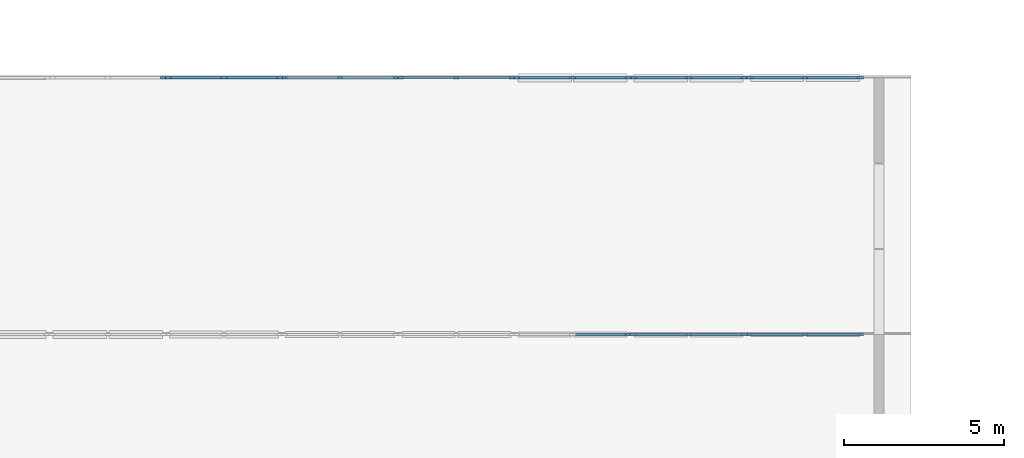
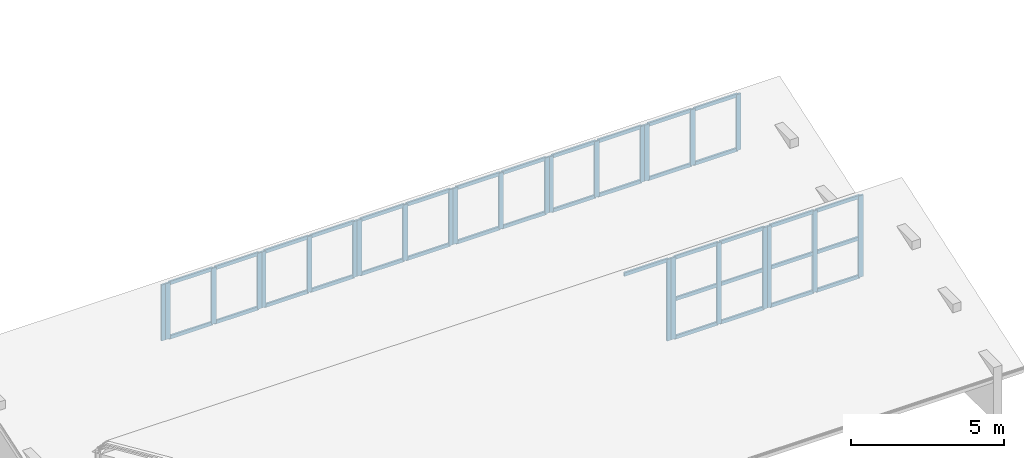
# One storey, part 14 of 45: 63 members, 10 elements without a shape of their own.
"""IFC4 building model written with IfcOpenShell, lengths in metres."""

from ifc_helpers import new_model, si_unit, direction, frame, origin, origin_2d, place, context, subcontext, project, spatial, rectangle, extrude, material, layer, layer_set, material_profile, profile_set, type_object, element, aggregate, save


model = new_model("IFC4")

# Units and contexts
model_context = context("Model", 3, precision=1e-05, world=origin(), true_north=direction((0.0, 1.0)))
body_context = subcontext(model_context, "Body", "Model", "MODEL_VIEW")
ifc_project = project(units=[si_unit("LENGTHUNIT", "METRE"), si_unit("AREAUNIT", "SQUARE_METRE"), si_unit("VOLUMEUNIT", "CUBIC_METRE"), si_unit("PLANEANGLEUNIT", "RADIAN"), si_unit("MASSUNIT", "GRAM", prefix="KILO")], contexts=[model_context])

# Site, building, storey
site_placement = place(None, origin())
site = spatial("IfcSite", under=ifc_project, at=site_placement, CompositionType="ELEMENT")
building_placement = place(site_placement, origin())
building = spatial("IfcBuilding", under=site, at=building_placement, Name="Cinchona Park Media Centre", CompositionType="ELEMENT")
storey_placement = place(building_placement, frame((0.0, 0.0, 20.39990234375)))
storey = spatial("IfcBuildingStorey", under=building, at=storey_placement, Name="L04", CompositionType="ELEMENT", Elevation=20.39990234375)

# Curtain wall, members
ifc_material_1 = material(Name="Aluminium Curtain Wall Framing", Category="aluminium")
ifc_layer = layer(ifc_material_1, 0.31494140625)
ifc_layer_set = layer_set([ifc_layer], Name="Aluminium Curtain Wall Framing")
curtain_wall_type = type_object("IfcCurtainWallType", Name="CW-CW10", PredefinedType="USERDEFINED", material=ifc_layer_set)
curtain_wall_1_placement = place(storey_placement, origin())
curtain_wall_1 = element("IfcCurtainWall", 1, at=curtain_wall_1_placement, inside=storey, type_object=curtain_wall_type, Name="North-Light Sawtooth Clerestory V2 Bay 1.1 CW10 L04", ObjectType="UNITISED CURTAIN WALL", PredefinedType="USERDEFINED")
ifc_material_2 = material(Name="Anodised Aluminium Alloy 6063-T6", Category="aluminium")
ifc_material_profile_1 = material_profile(ifc_material_2, rectangle(XDim=0.070068359375, YDim=0.179931640625, at=origin_2d()), Name="MUL-70X180")
ifc_profile_set_1 = profile_set([ifc_material_profile_1], Name="Anodised Aluminium Alloy 6063-T6")
member_type_1 = type_object("IfcMemberType", Name="MULLION-MUL02", PredefinedType="MULLION", material=ifc_profile_set_1)
member_1_placement = place(storey_placement, frame((44.784912109375, 110.0, -0.219970703125), z_axis=(0.0, 0.0, 1.0), x_axis=(0.0, -1.0, 0.0)))
member_1 = element("IfcMember", 2, at=member_1_placement, type_object=member_type_1, Name="CW10 mullion 1", PredefinedType="MULLION", context=body_context, shape_type="SweptSolid", body=[
    extrude(rectangle(XDim=0.070068359375, YDim=0.179931640625, at=origin_2d()), origin(), (0.0, 0.0, 1.0), 3.257080078125),
])
member_2_placement = place(storey_placement, frame((43.050048828125, 110.0, -0.219970703125), z_axis=(0.0, 0.0, 1.0), x_axis=(0.0, -1.0, 0.0)))
member_2 = element("IfcMember", 3, at=member_2_placement, type_object=member_type_1, Name="CW10 mullion 2", PredefinedType="MULLION", context=body_context, shape_type="SweptSolid", body=[
    extrude(rectangle(XDim=0.070068359375, YDim=0.179931640625, at=origin_2d()), origin(), (0.0, 0.0, 1.0), 3.257080078125),
])
member_3_placement = place(storey_placement, frame((41.31494140625, 110.0, -0.219970703125), z_axis=(0.0, 0.0, 1.0), x_axis=(0.0, -1.0, 0.0)))
member_3 = element("IfcMember", 4, at=member_3_placement, type_object=member_type_1, Name="CW10 mullion 3", PredefinedType="MULLION", context=body_context, shape_type="SweptSolid", body=[
    extrude(rectangle(XDim=0.070068359375, YDim=0.179931640625, at=origin_2d()), origin(), (0.0, 0.0, 1.0), 3.257080078125),
])

curtain_wall_2_placement = place(storey_placement, origin())
curtain_wall_2 = element("IfcCurtainWall", 5, at=curtain_wall_2_placement, inside=storey, type_object=curtain_wall_type, Name="North-Light Sawtooth Clerestory V2 Bay 1.2 CW10 L04", ObjectType="UNITISED CURTAIN WALL", PredefinedType="USERDEFINED")
member_4_placement = place(storey_placement, frame((41.1650390625, 110.0, -0.219970703125), z_axis=(0.0, 0.0, 1.0), x_axis=(0.0, -1.0, 0.0)))
member_4 = element("IfcMember", 6, at=member_4_placement, type_object=member_type_1, Name="CW10 mullion 1", PredefinedType="MULLION", context=body_context, shape_type="SweptSolid", body=[
    extrude(rectangle(XDim=0.070068359375, YDim=0.179931640625, at=origin_2d()), origin(), (0.0, 0.0, 1.0), 3.257080078125),
])
member_5_placement = place(storey_placement, frame((39.429931640625, 110.0, -0.219970703125), z_axis=(0.0, 0.0, 1.0), x_axis=(0.0, -1.0, 0.0)))
member_5 = element("IfcMember", 7, at=member_5_placement, type_object=member_type_1, Name="CW10 mullion 2", PredefinedType="MULLION", context=body_context, shape_type="SweptSolid", body=[
    extrude(rectangle(XDim=0.070068359375, YDim=0.179931640625, at=origin_2d()), origin(), (0.0, 0.0, 1.0), 3.257080078125),
])
member_6_placement = place(storey_placement, frame((37.695068359375, 110.0, -0.219970703125), z_axis=(0.0, 0.0, 1.0), x_axis=(0.0, -1.0, 0.0)))
member_6 = element("IfcMember", 8, at=member_6_placement, type_object=member_type_1, Name="CW10 mullion 3", PredefinedType="MULLION", context=body_context, shape_type="SweptSolid", body=[
    extrude(rectangle(XDim=0.070068359375, YDim=0.179931640625, at=origin_2d()), origin(), (0.0, 0.0, 1.0), 3.257080078125),
])

# Curtain wall, member
curtain_wall_3_placement = place(storey_placement, origin())
curtain_wall_3 = element("IfcCurtainWall", 9, at=curtain_wall_3_placement, inside=storey, type_object=curtain_wall_type, Name="North-Light Sawtooth Clerestory V2 Bay 1.3 CW10 L04", ObjectType="UNITISED CURTAIN WALL", PredefinedType="USERDEFINED")
member_7_placement = place(storey_placement, frame((37.544921875, 110.0, -0.219970703125), z_axis=(0.0, 0.0, 1.0), x_axis=(0.0, -1.0, 0.0)))
member_7 = element("IfcMember", 10, at=member_7_placement, type_object=member_type_1, Name="CW10 mullion 1", PredefinedType="MULLION", context=body_context, shape_type="SweptSolid", body=[
    extrude(rectangle(XDim=0.070068359375, YDim=0.179931640625, at=origin_2d()), origin(), (0.0, 0.0, 1.0), 3.257080078125),
])

# Curtain wall, members
curtain_wall_4_placement = place(storey_placement, origin())
curtain_wall_4 = element("IfcCurtainWall", 11, at=curtain_wall_4_placement, inside=storey, type_object=curtain_wall_type, Name="North-Light Sawtooth Clerestory V2 Bay 2.1 CW10 L04", ObjectType="UNITISED CURTAIN WALL", PredefinedType="USERDEFINED")
member_8_placement = place(storey_placement, frame((44.784912109375, 118.0, 0.0), z_axis=(0.0, 0.0, 1.0), x_axis=(0.0, -1.0, 0.0)))
member_8 = element("IfcMember", 12, at=member_8_placement, type_object=member_type_1, Name="CW10 mullion 1", PredefinedType="MULLION", context=body_context, shape_type="SweptSolid", body=[
    extrude(rectangle(XDim=0.070068359375, YDim=0.179931640625, at=origin_2d()), origin(), (0.0, 0.0, 1.0), 2.237060546875),
])
member_9_placement = place(storey_placement, frame((43.050048828125, 118.0, 0.0), z_axis=(0.0, 0.0, 1.0), x_axis=(0.0, -1.0, 0.0)))
member_9 = element("IfcMember", 13, at=member_9_placement, type_object=member_type_1, Name="CW10 mullion 2", PredefinedType="MULLION", context=body_context, shape_type="SweptSolid", body=[
    extrude(rectangle(XDim=0.070068359375, YDim=0.179931640625, at=origin_2d()), origin(), (0.0, 0.0, 1.0), 2.237060546875),
])
member_10_placement = place(storey_placement, frame((41.31494140625, 118.0, 0.0), z_axis=(0.0, 0.0, 1.0), x_axis=(0.0, -1.0, 0.0)))
member_10 = element("IfcMember", 14, at=member_10_placement, type_object=member_type_1, Name="CW10 mullion 3", PredefinedType="MULLION", context=body_context, shape_type="SweptSolid", body=[
    extrude(rectangle(XDim=0.070068359375, YDim=0.179931640625, at=origin_2d()), origin(), (0.0, 0.0, 1.0), 2.237060546875),
])

curtain_wall_5_placement = place(storey_placement, origin())
curtain_wall_5 = element("IfcCurtainWall", 15, at=curtain_wall_5_placement, inside=storey, type_object=curtain_wall_type, Name="North-Light Sawtooth Clerestory V2 Bay 2.2 CW10 L04", ObjectType="UNITISED CURTAIN WALL", PredefinedType="USERDEFINED")
member_11_placement = place(storey_placement, frame((41.1650390625, 118.0, 0.0), z_axis=(0.0, 0.0, 1.0), x_axis=(0.0, -1.0, 0.0)))
member_11 = element("IfcMember", 16, at=member_11_placement, type_object=member_type_1, Name="CW10 mullion 1", PredefinedType="MULLION", context=body_context, shape_type="SweptSolid", body=[
    extrude(rectangle(XDim=0.070068359375, YDim=0.179931640625, at=origin_2d()), origin(), (0.0, 0.0, 1.0), 2.237060546875),
])
member_12_placement = place(storey_placement, frame((39.429931640625, 118.0, 0.0), z_axis=(0.0, 0.0, 1.0), x_axis=(0.0, -1.0, 0.0)))
member_12 = element("IfcMember", 17, at=member_12_placement, type_object=member_type_1, Name="CW10 mullion 2", PredefinedType="MULLION", context=body_context, shape_type="SweptSolid", body=[
    extrude(rectangle(XDim=0.070068359375, YDim=0.179931640625, at=origin_2d()), origin(), (0.0, 0.0, 1.0), 2.237060546875),
])
member_13_placement = place(storey_placement, frame((37.695068359375, 118.0, 0.0), z_axis=(0.0, 0.0, 1.0), x_axis=(0.0, -1.0, 0.0)))
member_13 = element("IfcMember", 18, at=member_13_placement, type_object=member_type_1, Name="CW10 mullion 3", PredefinedType="MULLION", context=body_context, shape_type="SweptSolid", body=[
    extrude(rectangle(XDim=0.070068359375, YDim=0.179931640625, at=origin_2d()), origin(), (0.0, 0.0, 1.0), 2.237060546875),
])

curtain_wall_6_placement = place(storey_placement, origin())
curtain_wall_6 = element("IfcCurtainWall", 19, at=curtain_wall_6_placement, inside=storey, type_object=curtain_wall_type, Name="North-Light Sawtooth Clerestory V2 Bay 2.3 CW10 L04", ObjectType="UNITISED CURTAIN WALL", PredefinedType="USERDEFINED")
member_14_placement = place(storey_placement, frame((37.544921875, 118.0, 0.0), z_axis=(0.0, 0.0, 1.0), x_axis=(0.0, -1.0, 0.0)))
member_14 = element("IfcMember", 20, at=member_14_placement, type_object=member_type_1, Name="CW10 mullion 1", PredefinedType="MULLION", context=body_context, shape_type="SweptSolid", body=[
    extrude(rectangle(XDim=0.070068359375, YDim=0.179931640625, at=origin_2d()), origin(), (0.0, 0.0, 1.0), 2.237060546875),
])
member_15_placement = place(storey_placement, frame((35.81005859375, 118.0, 0.0), z_axis=(0.0, 0.0, 1.0), x_axis=(0.0, -1.0, 0.0)))
member_15 = element("IfcMember", 21, at=member_15_placement, type_object=member_type_1, Name="CW10 mullion 2", PredefinedType="MULLION", context=body_context, shape_type="SweptSolid", body=[
    extrude(rectangle(XDim=0.070068359375, YDim=0.179931640625, at=origin_2d()), origin(), (0.0, 0.0, 1.0), 2.237060546875),
])
member_16_placement = place(storey_placement, frame((34.074951171875, 118.0, 0.0), z_axis=(0.0, 0.0, 1.0), x_axis=(0.0, -1.0, 0.0)))
member_16 = element("IfcMember", 22, at=member_16_placement, type_object=member_type_1, Name="CW10 mullion 3", PredefinedType="MULLION", context=body_context, shape_type="SweptSolid", body=[
    extrude(rectangle(XDim=0.070068359375, YDim=0.179931640625, at=origin_2d()), origin(), (0.0, 0.0, 1.0), 2.237060546875),
])

curtain_wall_7_placement = place(storey_placement, origin())
curtain_wall_7 = element("IfcCurtainWall", 23, at=curtain_wall_7_placement, inside=storey, type_object=curtain_wall_type, Name="North-Light Sawtooth Clerestory V2 Bay 2.4 CW10 L04", ObjectType="UNITISED CURTAIN WALL", PredefinedType="USERDEFINED")
member_17_placement = place(storey_placement, frame((33.925048828125, 118.0, 0.0), z_axis=(0.0, 0.0, 1.0), x_axis=(0.0, -1.0, 0.0)))
member_17 = element("IfcMember", 24, at=member_17_placement, type_object=member_type_1, Name="CW10 mullion 1", PredefinedType="MULLION", context=body_context, shape_type="SweptSolid", body=[
    extrude(rectangle(XDim=0.070068359375, YDim=0.179931640625, at=origin_2d()), origin(), (0.0, 0.0, 1.0), 2.237060546875),
])
member_18_placement = place(storey_placement, frame((32.18994140625, 118.0, 0.0), z_axis=(0.0, 0.0, 1.0), x_axis=(0.0, -1.0, 0.0)))
member_18 = element("IfcMember", 25, at=member_18_placement, type_object=member_type_1, Name="CW10 mullion 2", PredefinedType="MULLION", context=body_context, shape_type="SweptSolid", body=[
    extrude(rectangle(XDim=0.070068359375, YDim=0.179931640625, at=origin_2d()), origin(), (0.0, 0.0, 1.0), 2.237060546875),
])
member_19_placement = place(storey_placement, frame((30.455078125, 118.0, 0.0), z_axis=(0.0, 0.0, 1.0), x_axis=(0.0, -1.0, 0.0)))
member_19 = element("IfcMember", 26, at=member_19_placement, type_object=member_type_1, Name="CW10 mullion 3", PredefinedType="MULLION", context=body_context, shape_type="SweptSolid", body=[
    extrude(rectangle(XDim=0.070068359375, YDim=0.179931640625, at=origin_2d()), origin(), (0.0, 0.0, 1.0), 2.237060546875),
])

curtain_wall_8_placement = place(storey_placement, origin())
curtain_wall_8 = element("IfcCurtainWall", 27, at=curtain_wall_8_placement, inside=storey, type_object=curtain_wall_type, Name="North-Light Sawtooth Clerestory V2 Bay 2.5 CW10 L04", ObjectType="UNITISED CURTAIN WALL", PredefinedType="USERDEFINED")
member_20_placement = place(storey_placement, frame((30.304931640625, 118.0, 0.0), z_axis=(0.0, 0.0, 1.0), x_axis=(0.0, -1.0, 0.0)))
member_20 = element("IfcMember", 28, at=member_20_placement, type_object=member_type_1, Name="CW10 mullion 1", PredefinedType="MULLION", context=body_context, shape_type="SweptSolid", body=[
    extrude(rectangle(XDim=0.070068359375, YDim=0.179931640625, at=origin_2d()), origin(), (0.0, 0.0, 1.0), 2.237060546875),
])
member_21_placement = place(storey_placement, frame((28.570068359375, 118.0, 0.0), z_axis=(0.0, 0.0, 1.0), x_axis=(0.0, -1.0, 0.0)))
member_21 = element("IfcMember", 29, at=member_21_placement, type_object=member_type_1, Name="CW10 mullion 2", PredefinedType="MULLION", context=body_context, shape_type="SweptSolid", body=[
    extrude(rectangle(XDim=0.070068359375, YDim=0.179931640625, at=origin_2d()), origin(), (0.0, 0.0, 1.0), 2.237060546875),
])
member_22_placement = place(storey_placement, frame((26.8349609375, 118.0, 0.0), z_axis=(0.0, 0.0, 1.0), x_axis=(0.0, -1.0, 0.0)))
member_22 = element("IfcMember", 30, at=member_22_placement, type_object=member_type_1, Name="CW10 mullion 3", PredefinedType="MULLION", context=body_context, shape_type="SweptSolid", body=[
    extrude(rectangle(XDim=0.070068359375, YDim=0.179931640625, at=origin_2d()), origin(), (0.0, 0.0, 1.0), 2.237060546875),
])

curtain_wall_9_placement = place(storey_placement, origin())
curtain_wall_9 = element("IfcCurtainWall", 31, at=curtain_wall_9_placement, inside=storey, type_object=curtain_wall_type, Name="North-Light Sawtooth Clerestory V2 Bay 2.6 CW10 L04", ObjectType="UNITISED CURTAIN WALL", PredefinedType="USERDEFINED")
member_23_placement = place(storey_placement, frame((26.68505859375, 118.0, 0.0), z_axis=(0.0, 0.0, 1.0), x_axis=(0.0, -1.0, 0.0)))
member_23 = element("IfcMember", 32, at=member_23_placement, type_object=member_type_1, Name="CW10 mullion 1", PredefinedType="MULLION", context=body_context, shape_type="SweptSolid", body=[
    extrude(rectangle(XDim=0.070068359375, YDim=0.179931640625, at=origin_2d()), origin(), (0.0, 0.0, 1.0), 2.237060546875),
])
member_24_placement = place(storey_placement, frame((24.949951171875, 118.0, 0.0), z_axis=(0.0, 0.0, 1.0), x_axis=(0.0, -1.0, 0.0)))
member_24 = element("IfcMember", 33, at=member_24_placement, type_object=member_type_1, Name="CW10 mullion 2", PredefinedType="MULLION", context=body_context, shape_type="SweptSolid", body=[
    extrude(rectangle(XDim=0.070068359375, YDim=0.179931640625, at=origin_2d()), origin(), (0.0, 0.0, 1.0), 2.237060546875),
])
member_25_placement = place(storey_placement, frame((23.215087890625, 118.0, 0.0), z_axis=(0.0, 0.0, 1.0), x_axis=(0.0, -1.0, 0.0)))
member_25 = element("IfcMember", 34, at=member_25_placement, type_object=member_type_1, Name="CW10 mullion 3", PredefinedType="MULLION", context=body_context, shape_type="SweptSolid", body=[
    extrude(rectangle(XDim=0.070068359375, YDim=0.179931640625, at=origin_2d()), origin(), (0.0, 0.0, 1.0), 2.237060546875),
])

# Curtain wall, member
curtain_wall_10_placement = place(storey_placement, origin())
curtain_wall_10 = element("IfcCurtainWall", 35, at=curtain_wall_10_placement, inside=storey, type_object=curtain_wall_type, Name="North-Light Sawtooth Clerestory V2 Bay 2.7 CW10 L04", ObjectType="UNITISED CURTAIN WALL", PredefinedType="USERDEFINED")
member_26_placement = place(storey_placement, frame((23.06494140625, 118.0, 0.0), z_axis=(0.0, 0.0, 1.0), x_axis=(0.0, -1.0, 0.0)))
member_26 = element("IfcMember", 36, at=member_26_placement, type_object=member_type_1, Name="CW10 mullion 1", PredefinedType="MULLION", context=body_context, shape_type="SweptSolid", body=[
    extrude(rectangle(XDim=0.070068359375, YDim=0.179931640625, at=origin_2d()), origin(), (0.0, 0.0, 1.0), 2.237060546875),
])
aggregate(curtain_wall_10, [member_26])

# Member
ifc_material_3 = material(Name="Anodised Aluminium Alloy 6063-T6", Category="aluminium")
ifc_material_profile_2 = material_profile(ifc_material_3, rectangle(XDim=0.070068359375, YDim=0.139892578125, at=origin_2d()), Name="TRN-70X140")
ifc_profile_set_2 = profile_set([ifc_material_profile_2], Name="Anodised Aluminium Alloy 6063-T6")
member_type_2 = type_object("IfcMemberType", Name="TRANSOM-TRN02", PredefinedType="USERDEFINED", material=ifc_profile_set_2)
member_27_placement = place(storey_placement, frame((44.75, 110.0, -0.184814453125), z_axis=(-1.0, 0.0, 0.0), x_axis=(0.0, -1.0, 0.0)))
member_27 = element("IfcMember", 37, at=member_27_placement, type_object=member_type_2, Name="CW10 transom 1.1", ObjectType="TRANSOM", PredefinedType="USERDEFINED", context=body_context, shape_type="SweptSolid", body=[
    extrude(rectangle(XDim=0.070068359375, YDim=0.139892578125, at=origin_2d()), origin(), (0.0, 0.0, 1.0), 1.6650390625),
])

member_28_placement = place(storey_placement, frame((44.75, 110.0, 1.343017578125), z_axis=(-1.0, 0.0, 0.0), x_axis=(0.0, -1.0, 0.0)))
member_28 = element("IfcMember", 38, at=member_28_placement, type_object=member_type_2, Name="CW10 transom 1.2", ObjectType="TRANSOM", PredefinedType="USERDEFINED", context=body_context, shape_type="SweptSolid", body=[
    extrude(rectangle(XDim=0.070068359375, YDim=0.139892578125, at=origin_2d()), origin(), (0.0, 0.0, 1.0), 1.6650390625),
])

member_29_placement = place(storey_placement, frame((44.75, 110.0, 3.002197265625), z_axis=(-1.0, 0.0, 0.0), x_axis=(0.0, -1.0, 0.0)))
member_29 = element("IfcMember", 39, at=member_29_placement, type_object=member_type_2, Name="CW10 transom 1.3", ObjectType="TRANSOM", PredefinedType="USERDEFINED", context=body_context, shape_type="SweptSolid", body=[
    extrude(rectangle(XDim=0.070068359375, YDim=0.139892578125, at=origin_2d()), origin(), (0.0, 0.0, 1.0), 1.6650390625),
])

member_30_placement = place(storey_placement, frame((43.014892578125, 110.0, -0.184814453125), z_axis=(-1.0, 0.0, 0.0), x_axis=(0.0, -1.0, 0.0)))
member_30 = element("IfcMember", 40, at=member_30_placement, type_object=member_type_2, Name="CW10 transom 2.1", ObjectType="TRANSOM", PredefinedType="USERDEFINED", context=body_context, shape_type="SweptSolid", body=[
    extrude(rectangle(XDim=0.070068359375, YDim=0.139892578125, at=origin_2d()), origin(), (0.0, 0.0, 1.0), 1.664794921875),
])

member_31_placement = place(storey_placement, frame((43.014892578125, 110.0, 1.343017578125), z_axis=(-1.0, 0.0, 0.0), x_axis=(0.0, -1.0, 0.0)))
member_31 = element("IfcMember", 41, at=member_31_placement, type_object=member_type_2, Name="CW10 transom 2.2", ObjectType="TRANSOM", PredefinedType="USERDEFINED", context=body_context, shape_type="SweptSolid", body=[
    extrude(rectangle(XDim=0.070068359375, YDim=0.139892578125, at=origin_2d()), origin(), (0.0, 0.0, 1.0), 1.664794921875),
])

member_32_placement = place(storey_placement, frame((43.014892578125, 110.0, 3.002197265625), z_axis=(-1.0, 0.0, 0.0), x_axis=(0.0, -1.0, 0.0)))
member_32 = element("IfcMember", 42, at=member_32_placement, type_object=member_type_2, Name="CW10 transom 2.3", ObjectType="TRANSOM", PredefinedType="USERDEFINED", context=body_context, shape_type="SweptSolid", body=[
    extrude(rectangle(XDim=0.070068359375, YDim=0.139892578125, at=origin_2d()), origin(), (0.0, 0.0, 1.0), 1.664794921875),
])

aggregate(curtain_wall_1, [member_1, member_2, member_3, member_27, member_28, member_29, member_30, member_31, member_32])

member_33_placement = place(storey_placement, frame((41.1298828125, 110.0, -0.184814453125), z_axis=(-1.0, 0.0, 0.0), x_axis=(0.0, -1.0, 0.0)))
member_33 = element("IfcMember", 43, at=member_33_placement, type_object=member_type_2, Name="CW10 transom 1.1", ObjectType="TRANSOM", PredefinedType="USERDEFINED", context=body_context, shape_type="SweptSolid", body=[
    extrude(rectangle(XDim=0.070068359375, YDim=0.139892578125, at=origin_2d()), origin(), (0.0, 0.0, 1.0), 1.664794921875),
])

member_34_placement = place(storey_placement, frame((41.1298828125, 110.0, 1.343017578125), z_axis=(-1.0, 0.0, 0.0), x_axis=(0.0, -1.0, 0.0)))
member_34 = element("IfcMember", 44, at=member_34_placement, type_object=member_type_2, Name="CW10 transom 1.2", ObjectType="TRANSOM", PredefinedType="USERDEFINED", context=body_context, shape_type="SweptSolid", body=[
    extrude(rectangle(XDim=0.070068359375, YDim=0.139892578125, at=origin_2d()), origin(), (0.0, 0.0, 1.0), 1.664794921875),
])

member_35_placement = place(storey_placement, frame((41.1298828125, 110.0, 3.002197265625), z_axis=(-1.0, 0.0, 0.0), x_axis=(0.0, -1.0, 0.0)))
member_35 = element("IfcMember", 45, at=member_35_placement, type_object=member_type_2, Name="CW10 transom 1.3", ObjectType="TRANSOM", PredefinedType="USERDEFINED", context=body_context, shape_type="SweptSolid", body=[
    extrude(rectangle(XDim=0.070068359375, YDim=0.139892578125, at=origin_2d()), origin(), (0.0, 0.0, 1.0), 1.664794921875),
])

member_36_placement = place(storey_placement, frame((39.39501953125, 110.0, -0.184814453125), z_axis=(-1.0, 0.0, 0.0), x_axis=(0.0, -1.0, 0.0)))
member_36 = element("IfcMember", 46, at=member_36_placement, type_object=member_type_2, Name="CW10 transom 2.1", ObjectType="TRANSOM", PredefinedType="USERDEFINED", context=body_context, shape_type="SweptSolid", body=[
    extrude(rectangle(XDim=0.070068359375, YDim=0.139892578125, at=origin_2d()), origin(), (0.0, 0.0, 1.0), 1.6650390625),
])

member_37_placement = place(storey_placement, frame((39.39501953125, 110.0, 1.343017578125), z_axis=(-1.0, 0.0, 0.0), x_axis=(0.0, -1.0, 0.0)))
member_37 = element("IfcMember", 47, at=member_37_placement, type_object=member_type_2, Name="CW10 transom 2.2", ObjectType="TRANSOM", PredefinedType="USERDEFINED", context=body_context, shape_type="SweptSolid", body=[
    extrude(rectangle(XDim=0.070068359375, YDim=0.139892578125, at=origin_2d()), origin(), (0.0, 0.0, 1.0), 1.6650390625),
])

member_38_placement = place(storey_placement, frame((39.39501953125, 110.0, 3.002197265625), z_axis=(-1.0, 0.0, 0.0), x_axis=(0.0, -1.0, 0.0)))
member_38 = element("IfcMember", 48, at=member_38_placement, type_object=member_type_2, Name="CW10 transom 2.3", ObjectType="TRANSOM", PredefinedType="USERDEFINED", context=body_context, shape_type="SweptSolid", body=[
    extrude(rectangle(XDim=0.070068359375, YDim=0.139892578125, at=origin_2d()), origin(), (0.0, 0.0, 1.0), 1.6650390625),
])

aggregate(curtain_wall_2, [member_4, member_5, member_6, member_33, member_34, member_35, member_36, member_37, member_38])

member_39_placement = place(storey_placement, frame((37.510009765625, 110.0, 3.002197265625), z_axis=(-1.0, 0.0, 0.0), x_axis=(0.0, -1.0, 0.0)))
member_39 = element("IfcMember", 49, at=member_39_placement, type_object=member_type_2, Name="CW10 transom 1.3", ObjectType="TRANSOM", PredefinedType="USERDEFINED", context=body_context, shape_type="SweptSolid", body=[
    extrude(rectangle(XDim=0.070068359375, YDim=0.139892578125, at=origin_2d()), origin(), (0.0, 0.0, 1.0), 1.6650390625),
])

aggregate(curtain_wall_3, [member_7, member_39])

member_40_placement = place(storey_placement, frame((44.75, 118.0, 0.03515625), z_axis=(-1.0, 0.0, 0.0), x_axis=(0.0, -1.0, 0.0)))
member_40 = element("IfcMember", 50, at=member_40_placement, type_object=member_type_2, Name="CW10 transom 1.1", ObjectType="TRANSOM", PredefinedType="USERDEFINED", context=body_context, shape_type="SweptSolid", body=[
    extrude(rectangle(XDim=0.070068359375, YDim=0.139892578125, at=origin_2d()), origin(), (0.0, 0.0, 1.0), 1.6650390625),
])

member_41_placement = place(storey_placement, frame((44.75, 118.0, 2.2021484375), z_axis=(-1.0, 0.0, 0.0), x_axis=(0.0, -1.0, 0.0)))
member_41 = element("IfcMember", 51, at=member_41_placement, type_object=member_type_2, Name="CW10 transom 1.2", ObjectType="TRANSOM", PredefinedType="USERDEFINED", context=body_context, shape_type="SweptSolid", body=[
    extrude(rectangle(XDim=0.070068359375, YDim=0.139892578125, at=origin_2d()), origin(), (0.0, 0.0, 1.0), 1.6650390625),
])

member_42_placement = place(storey_placement, frame((43.014892578125, 118.0, 0.03515625), z_axis=(-1.0, 0.0, 0.0), x_axis=(0.0, -1.0, 0.0)))
member_42 = element("IfcMember", 52, at=member_42_placement, type_object=member_type_2, Name="CW10 transom 2.1", ObjectType="TRANSOM", PredefinedType="USERDEFINED", context=body_context, shape_type="SweptSolid", body=[
    extrude(rectangle(XDim=0.070068359375, YDim=0.139892578125, at=origin_2d()), origin(), (0.0, 0.0, 1.0), 1.664794921875),
])

member_43_placement = place(storey_placement, frame((43.014892578125, 118.0, 2.2021484375), z_axis=(-1.0, 0.0, 0.0), x_axis=(0.0, -1.0, 0.0)))
member_43 = element("IfcMember", 53, at=member_43_placement, type_object=member_type_2, Name="CW10 transom 2.2", ObjectType="TRANSOM", PredefinedType="USERDEFINED", context=body_context, shape_type="SweptSolid", body=[
    extrude(rectangle(XDim=0.070068359375, YDim=0.139892578125, at=origin_2d()), origin(), (0.0, 0.0, 1.0), 1.664794921875),
])

aggregate(curtain_wall_4, [member_8, member_9, member_10, member_40, member_41, member_42, member_43])

member_44_placement = place(storey_placement, frame((41.1298828125, 118.0, 0.03515625), z_axis=(-1.0, 0.0, 0.0), x_axis=(0.0, -1.0, 0.0)))
member_44 = element("IfcMember", 54, at=member_44_placement, type_object=member_type_2, Name="CW10 transom 1.1", ObjectType="TRANSOM", PredefinedType="USERDEFINED", context=body_context, shape_type="SweptSolid", body=[
    extrude(rectangle(XDim=0.070068359375, YDim=0.139892578125, at=origin_2d()), origin(), (0.0, 0.0, 1.0), 1.664794921875),
])

member_45_placement = place(storey_placement, frame((41.1298828125, 118.0, 2.2021484375), z_axis=(-1.0, 0.0, 0.0), x_axis=(0.0, -1.0, 0.0)))
member_45 = element("IfcMember", 55, at=member_45_placement, type_object=member_type_2, Name="CW10 transom 1.2", ObjectType="TRANSOM", PredefinedType="USERDEFINED", context=body_context, shape_type="SweptSolid", body=[
    extrude(rectangle(XDim=0.070068359375, YDim=0.139892578125, at=origin_2d()), origin(), (0.0, 0.0, 1.0), 1.664794921875),
])

member_46_placement = place(storey_placement, frame((39.39501953125, 118.0, 0.03515625), z_axis=(-1.0, 0.0, 0.0), x_axis=(0.0, -1.0, 0.0)))
member_46 = element("IfcMember", 56, at=member_46_placement, type_object=member_type_2, Name="CW10 transom 2.1", ObjectType="TRANSOM", PredefinedType="USERDEFINED", context=body_context, shape_type="SweptSolid", body=[
    extrude(rectangle(XDim=0.070068359375, YDim=0.139892578125, at=origin_2d()), origin(), (0.0, 0.0, 1.0), 1.6650390625),
])

member_47_placement = place(storey_placement, frame((39.39501953125, 118.0, 2.2021484375), z_axis=(-1.0, 0.0, 0.0), x_axis=(0.0, -1.0, 0.0)))
member_47 = element("IfcMember", 57, at=member_47_placement, type_object=member_type_2, Name="CW10 transom 2.2", ObjectType="TRANSOM", PredefinedType="USERDEFINED", context=body_context, shape_type="SweptSolid", body=[
    extrude(rectangle(XDim=0.070068359375, YDim=0.139892578125, at=origin_2d()), origin(), (0.0, 0.0, 1.0), 1.6650390625),
])

aggregate(curtain_wall_5, [member_11, member_12, member_13, member_44, member_45, member_46, member_47])

member_48_placement = place(storey_placement, frame((37.510009765625, 118.0, 0.03515625), z_axis=(-1.0, 0.0, 0.0), x_axis=(0.0, -1.0, 0.0)))
member_48 = element("IfcMember", 58, at=member_48_placement, type_object=member_type_2, Name="CW10 transom 1.1", ObjectType="TRANSOM", PredefinedType="USERDEFINED", context=body_context, shape_type="SweptSolid", body=[
    extrude(rectangle(XDim=0.070068359375, YDim=0.139892578125, at=origin_2d()), origin(), (0.0, 0.0, 1.0), 1.6650390625),
])

member_49_placement = place(storey_placement, frame((37.510009765625, 118.0, 2.2021484375), z_axis=(-1.0, 0.0, 0.0), x_axis=(0.0, -1.0, 0.0)))
member_49 = element("IfcMember", 59, at=member_49_placement, type_object=member_type_2, Name="CW10 transom 1.2", ObjectType="TRANSOM", PredefinedType="USERDEFINED", context=body_context, shape_type="SweptSolid", body=[
    extrude(rectangle(XDim=0.070068359375, YDim=0.139892578125, at=origin_2d()), origin(), (0.0, 0.0, 1.0), 1.6650390625),
])

member_50_placement = place(storey_placement, frame((35.77490234375, 118.0, 0.03515625), z_axis=(-1.0, 0.0, 0.0), x_axis=(0.0, -1.0, 0.0)))
member_50 = element("IfcMember", 60, at=member_50_placement, type_object=member_type_2, Name="CW10 transom 2.1", ObjectType="TRANSOM", PredefinedType="USERDEFINED", context=body_context, shape_type="SweptSolid", body=[
    extrude(rectangle(XDim=0.070068359375, YDim=0.139892578125, at=origin_2d()), origin(), (0.0, 0.0, 1.0), 1.664794921875),
])

member_51_placement = place(storey_placement, frame((35.77490234375, 118.0, 2.2021484375), z_axis=(-1.0, 0.0, 0.0), x_axis=(0.0, -1.0, 0.0)))
member_51 = element("IfcMember", 61, at=member_51_placement, type_object=member_type_2, Name="CW10 transom 2.2", ObjectType="TRANSOM", PredefinedType="USERDEFINED", context=body_context, shape_type="SweptSolid", body=[
    extrude(rectangle(XDim=0.070068359375, YDim=0.139892578125, at=origin_2d()), origin(), (0.0, 0.0, 1.0), 1.664794921875),
])

aggregate(curtain_wall_6, [member_14, member_15, member_16, member_48, member_49, member_50, member_51])

member_52_placement = place(storey_placement, frame((33.889892578125, 118.0, 0.03515625), z_axis=(-1.0, 0.0, 0.0), x_axis=(0.0, -1.0, 0.0)))
member_52 = element("IfcMember", 62, at=member_52_placement, type_object=member_type_2, Name="CW10 transom 1.1", ObjectType="TRANSOM", PredefinedType="USERDEFINED", context=body_context, shape_type="SweptSolid", body=[
    extrude(rectangle(XDim=0.070068359375, YDim=0.139892578125, at=origin_2d()), origin(), (0.0, 0.0, 1.0), 1.664794921875),
])

member_53_placement = place(storey_placement, frame((33.889892578125, 118.0, 2.2021484375), z_axis=(-1.0, 0.0, 0.0), x_axis=(0.0, -1.0, 0.0)))
member_53 = element("IfcMember", 63, at=member_53_placement, type_object=member_type_2, Name="CW10 transom 1.2", ObjectType="TRANSOM", PredefinedType="USERDEFINED", context=body_context, shape_type="SweptSolid", body=[
    extrude(rectangle(XDim=0.070068359375, YDim=0.139892578125, at=origin_2d()), origin(), (0.0, 0.0, 1.0), 1.664794921875),
])

member_54_placement = place(storey_placement, frame((32.155029296875, 118.0, 0.03515625), z_axis=(-1.0, 0.0, 0.0), x_axis=(0.0, -1.0, 0.0)))
member_54 = element("IfcMember", 64, at=member_54_placement, type_object=member_type_2, Name="CW10 transom 2.1", ObjectType="TRANSOM", PredefinedType="USERDEFINED", context=body_context, shape_type="SweptSolid", body=[
    extrude(rectangle(XDim=0.070068359375, YDim=0.139892578125, at=origin_2d()), origin(), (0.0, 0.0, 1.0), 1.6650390625),
])

member_55_placement = place(storey_placement, frame((32.155029296875, 118.0, 2.2021484375), z_axis=(-1.0, 0.0, 0.0), x_axis=(0.0, -1.0, 0.0)))
member_55 = element("IfcMember", 65, at=member_55_placement, type_object=member_type_2, Name="CW10 transom 2.2", ObjectType="TRANSOM", PredefinedType="USERDEFINED", context=body_context, shape_type="SweptSolid", body=[
    extrude(rectangle(XDim=0.070068359375, YDim=0.139892578125, at=origin_2d()), origin(), (0.0, 0.0, 1.0), 1.6650390625),
])

aggregate(curtain_wall_7, [member_17, member_18, member_19, member_52, member_53, member_54, member_55])

member_56_placement = place(storey_placement, frame((30.27001953125, 118.0, 0.03515625), z_axis=(-1.0, 0.0, 0.0), x_axis=(0.0, -1.0, 0.0)))
member_56 = element("IfcMember", 66, at=member_56_placement, type_object=member_type_2, Name="CW10 transom 1.1", ObjectType="TRANSOM", PredefinedType="USERDEFINED", context=body_context, shape_type="SweptSolid", body=[
    extrude(rectangle(XDim=0.070068359375, YDim=0.139892578125, at=origin_2d()), origin(), (0.0, 0.0, 1.0), 1.6650390625),
])

member_57_placement = place(storey_placement, frame((30.27001953125, 118.0, 2.2021484375), z_axis=(-1.0, 0.0, 0.0), x_axis=(0.0, -1.0, 0.0)))
member_57 = element("IfcMember", 67, at=member_57_placement, type_object=member_type_2, Name="CW10 transom 1.2", ObjectType="TRANSOM", PredefinedType="USERDEFINED", context=body_context, shape_type="SweptSolid", body=[
    extrude(rectangle(XDim=0.070068359375, YDim=0.139892578125, at=origin_2d()), origin(), (0.0, 0.0, 1.0), 1.6650390625),
])

member_58_placement = place(storey_placement, frame((28.534912109375, 118.0, 0.03515625), z_axis=(-1.0, 0.0, 0.0), x_axis=(0.0, -1.0, 0.0)))
member_58 = element("IfcMember", 68, at=member_58_placement, type_object=member_type_2, Name="CW10 transom 2.1", ObjectType="TRANSOM", PredefinedType="USERDEFINED", context=body_context, shape_type="SweptSolid", body=[
    extrude(rectangle(XDim=0.070068359375, YDim=0.139892578125, at=origin_2d()), origin(), (0.0, 0.0, 1.0), 1.664794921875),
])

member_59_placement = place(storey_placement, frame((28.534912109375, 118.0, 2.2021484375), z_axis=(-1.0, 0.0, 0.0), x_axis=(0.0, -1.0, 0.0)))
member_59 = element("IfcMember", 69, at=member_59_placement, type_object=member_type_2, Name="CW10 transom 2.2", ObjectType="TRANSOM", PredefinedType="USERDEFINED", context=body_context, shape_type="SweptSolid", body=[
    extrude(rectangle(XDim=0.070068359375, YDim=0.139892578125, at=origin_2d()), origin(), (0.0, 0.0, 1.0), 1.664794921875),
])

aggregate(curtain_wall_8, [member_20, member_21, member_22, member_56, member_57, member_58, member_59])

member_60_placement = place(storey_placement, frame((26.64990234375, 118.0, 0.03515625), z_axis=(-1.0, 0.0, 0.0), x_axis=(0.0, -1.0, 0.0)))
member_60 = element("IfcMember", 70, at=member_60_placement, type_object=member_type_2, Name="CW10 transom 1.1", ObjectType="TRANSOM", PredefinedType="USERDEFINED", context=body_context, shape_type="SweptSolid", body=[
    extrude(rectangle(XDim=0.070068359375, YDim=0.139892578125, at=origin_2d()), origin(), (0.0, 0.0, 1.0), 1.664794921875),
])

member_61_placement = place(storey_placement, frame((26.64990234375, 118.0, 2.2021484375), z_axis=(-1.0, 0.0, 0.0), x_axis=(0.0, -1.0, 0.0)))
member_61 = element("IfcMember", 71, at=member_61_placement, type_object=member_type_2, Name="CW10 transom 1.2", ObjectType="TRANSOM", PredefinedType="USERDEFINED", context=body_context, shape_type="SweptSolid", body=[
    extrude(rectangle(XDim=0.070068359375, YDim=0.139892578125, at=origin_2d()), origin(), (0.0, 0.0, 1.0), 1.664794921875),
])

member_62_placement = place(storey_placement, frame((24.9150390625, 118.0, 0.03515625), z_axis=(-1.0, 0.0, 0.0), x_axis=(0.0, -1.0, 0.0)))
member_62 = element("IfcMember", 72, at=member_62_placement, type_object=member_type_2, Name="CW10 transom 2.1", ObjectType="TRANSOM", PredefinedType="USERDEFINED", context=body_context, shape_type="SweptSolid", body=[
    extrude(rectangle(XDim=0.070068359375, YDim=0.139892578125, at=origin_2d()), origin(), (0.0, 0.0, 1.0), 1.6650390625),
])

member_63_placement = place(storey_placement, frame((24.9150390625, 118.0, 2.2021484375), z_axis=(-1.0, 0.0, 0.0), x_axis=(0.0, -1.0, 0.0)))
member_63 = element("IfcMember", 73, at=member_63_placement, type_object=member_type_2, Name="CW10 transom 2.2", ObjectType="TRANSOM", PredefinedType="USERDEFINED", context=body_context, shape_type="SweptSolid", body=[
    extrude(rectangle(XDim=0.070068359375, YDim=0.139892578125, at=origin_2d()), origin(), (0.0, 0.0, 1.0), 1.6650390625),
])

aggregate(curtain_wall_9, [member_23, member_24, member_25, member_60, member_61, member_62, member_63])

save(model, "model.ifc")
